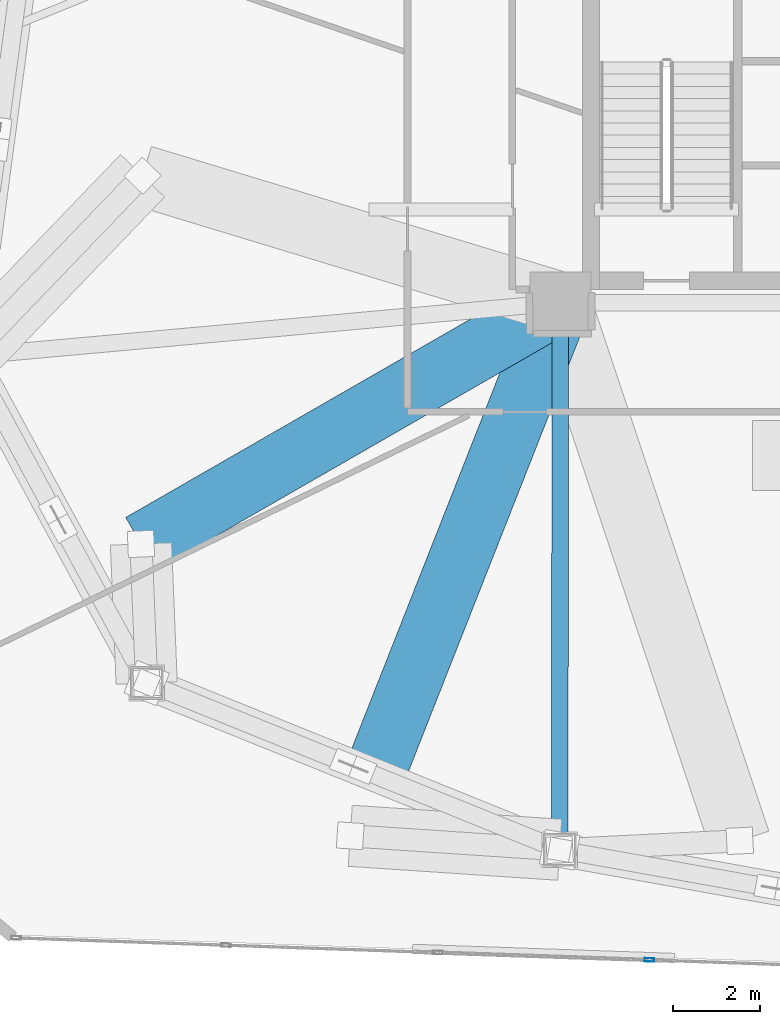
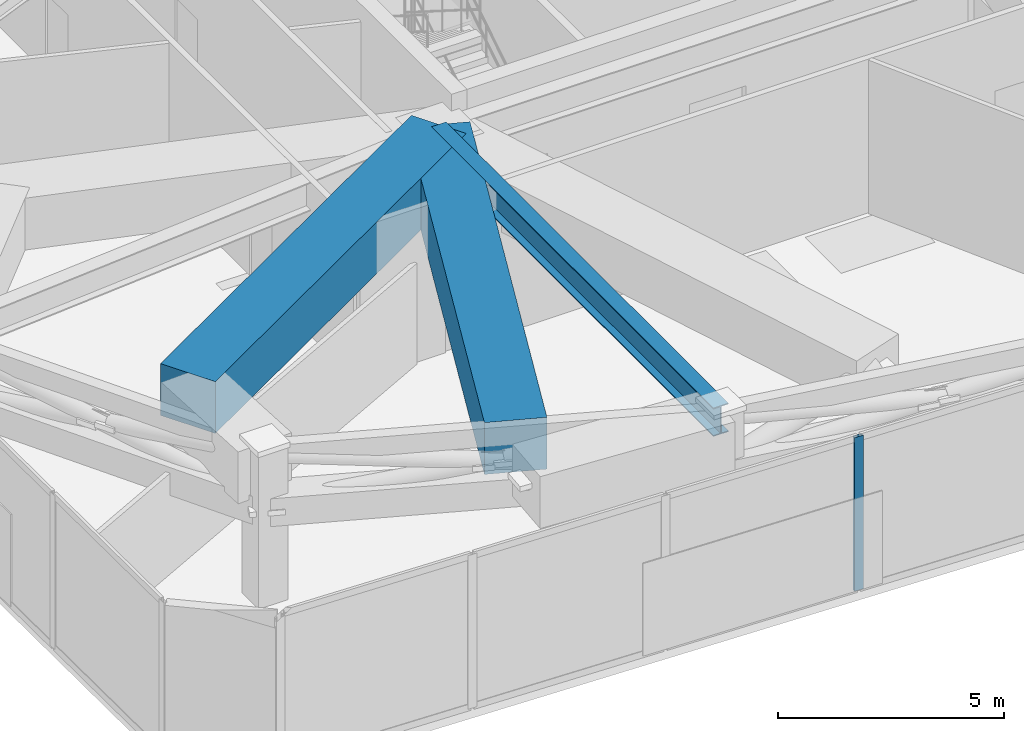
# One storey, part 4 of 25: 3 beams, 1 member, 1 element without a shape of its own.
"""IFC4 building model written with IfcOpenShell, lengths in metres."""

import ifcopenshell
import ifcopenshell.guid

model = None  # the IFC model being written
_history = None  # IfcOwnerHistory: only IFC2X3 demands one
_inside = {}  # id of a spatial element -> (the spatial element, [elements in it])
_under = {}  # id of a project, library or spatial element -> (it, [spatial elements below it])
_declared = {}  # id of a project -> (the project, [libraries it declares])
_typed = {}  # id of a type object -> (the type object, [elements of that type])
_made_of = {}  # id of a material, layer set ... -> (it, [elements and type objects made of it])


def new_model(schema):
    """Start an empty IFC model of exactly this schema.

    Asked for "IFC4X3", IfcOpenShell would pick the latest addendum, in which some entities
    have other attributes; the version numbers below select the first issue.
    IFC2X3 requires an IfcOwnerHistory on every rooted entity: one is made here for all.
    """
    global model, _history
    if schema == "IFC4X3":
        model = ifcopenshell.file(schema_version=(4, 3, 0, 0))
    else:
        model = ifcopenshell.file(schema=schema)
    _inside.clear()
    _under.clear()
    _declared.clear()
    _typed.clear()
    _made_of.clear()
    _history = None
    if model.schema == "IFC2X3":
        org = make("IfcOrganization", Name="unknown")
        user = make(
            "IfcPersonAndOrganization",
            ThePerson=make("IfcPerson", FamilyName="unknown"),
            TheOrganization=org,
        )
        app = make(
            "IfcApplication",
            ApplicationDeveloper=org,
            Version="unknown",
            ApplicationFullName="unknown",
            ApplicationIdentifier="unknown",
        )
        _history = make(
            "IfcOwnerHistory",
            OwningUser=user,
            OwningApplication=app,
            ChangeAction="ADDED",
            CreationDate=0,
        )
    return model


def make(cls, **values):
    """One entity of the class cls with the attributes given. An attribute that is None is left unset."""
    return model.create_entity(
        cls, **{name: value for name, value in values.items() if value is not None}
    )


def rooted(cls, **values):
    """An entity with a GlobalId (a new one), such as an element, a storey or a relation."""
    return make(cls, GlobalId=ifcopenshell.guid.new(), OwnerHistory=_history, **values)


def si_unit(unit_type, name, prefix=None):
    """IfcSIUnit, for example si_unit("LENGTHUNIT", "METRE", prefix="MILLI")."""
    return make("IfcSIUnit", UnitType=unit_type, Prefix=prefix, Name=name)


def assignment(units):
    """IfcUnitAssignment: the units of a project."""
    return None if units is None else make("IfcUnitAssignment", Units=units)


def point(xyz):
    """IfcCartesianPoint."""
    return None if xyz is None else make("IfcCartesianPoint", Coordinates=xyz)


def direction(xyz):
    """IfcDirection."""
    return None if xyz is None else make("IfcDirection", DirectionRatios=xyz)


def frame(location, z_axis=None, x_axis=None):
    """IfcAxis2Placement3D, a coordinate frame: its origin and axes. An axis left out is left unset."""
    return make(
        "IfcAxis2Placement3D",
        Location=point(location),
        Axis=direction(z_axis),
        RefDirection=direction(x_axis),
    )


def frame_2d(location, x_axis=None):
    """IfcAxis2Placement2D, a coordinate frame in the plane: its origin and x axis."""
    return make(
        "IfcAxis2Placement2D", Location=point(location), RefDirection=direction(x_axis)
    )


def origin():
    """The frame at (0, 0, 0) with its axes left unset."""
    return frame((0.0, 0.0, 0.0))


def origin_2d():
    """The frame at (0, 0) in the plane with its x axis left unset."""
    return frame_2d((0.0, 0.0))


def place(relative_to, where):
    """IfcLocalPlacement: puts the frame where relative to a parent placement (None: the world)."""
    return make(
        "IfcLocalPlacement", PlacementRelTo=relative_to, RelativePlacement=where
    )


def context(
    kind, dimensions, precision=None, world=None, true_north=None, identifier=None
):
    """IfcGeometricRepresentationContext, for example the 3D "Model" context."""
    return make(
        "IfcGeometricRepresentationContext",
        ContextIdentifier=identifier,
        ContextType=kind,
        CoordinateSpaceDimension=dimensions,
        Precision=precision,
        WorldCoordinateSystem=world,
        TrueNorth=true_north,
    )


def subcontext(parent, identifier, kind, view, scale=None):
    """IfcGeometricRepresentationSubContext, for example "Body" below "Model"."""
    return make(
        "IfcGeometricRepresentationSubContext",
        ContextIdentifier=identifier,
        ContextType=kind,
        ParentContext=parent,
        TargetScale=scale,
        TargetView=view,
    )


def project(units=None, contexts=None):
    """IfcProject with its units and contexts."""
    return rooted(
        "IfcProject",
        Name="project",
        RepresentationContexts=contexts,
        UnitsInContext=assignment(units),
    )


def spatial(cls, under=None, at=None, **own):
    """A site, building, storey or space (cls), placed at a placement, below another one or the project."""
    s = rooted(cls, ObjectPlacement=at, **own)
    if under is not None:
        _under.setdefault(under.id(), (under, []))[1].append(s)
    return s


def profile(cls, at=None, kind="AREA", **sizes):
    """A parametric profile (cls). Its sizes go by their IFC names, for example OverallWidth=200.0."""
    return make(cls, ProfileType=kind, Position=at, **sizes)


def rectangle(**sizes):
    """IfcRectangleProfileDef."""
    return profile("IfcRectangleProfileDef", **sizes)


def hollow_rectangle(**sizes):
    """IfcRectangleHollowProfileDef."""
    return profile("IfcRectangleHollowProfileDef", **sizes)


def i_section(**sizes):
    """IfcIShapeProfileDef."""
    return profile("IfcIShapeProfileDef", **sizes)


def extrude(swept, where, along, depth):
    """IfcExtrudedAreaSolid: the profile swept, set in the frame where, extruded along a direction by depth."""
    return make(
        "IfcExtrudedAreaSolid",
        SweptArea=swept,
        Position=where,
        ExtrudedDirection=direction(along),
        Depth=depth,
    )


def shape(context_of_items, identifier, shape_type, items):
    """IfcShapeRepresentation: the items that make up one representation, for example the "Body"."""
    return make(
        "IfcShapeRepresentation",
        ContextOfItems=context_of_items,
        RepresentationIdentifier=identifier,
        RepresentationType=shape_type,
        Items=items,
    )


def source(mapping_origin, context_of_items, identifier, shape_type, items):
    """IfcRepresentationMap: a shape defined once, which mapped items show again and again."""
    return make(
        "IfcRepresentationMap",
        MappingOrigin=mapping_origin,
        MappedRepresentation=shape(context_of_items, identifier, shape_type, items),
    )


def transform(
    local_origin,
    x_axis=None,
    y_axis=None,
    z_axis=None,
    scale=None,
    scale2=None,
    scale3=None,
    uniform=True,
):
    """IfcCartesianTransformationOperator3D, or its non-uniform kind. x_axis, y_axis, z_axis: its Axis1, 2, 3."""
    if uniform:
        return make(
            "IfcCartesianTransformationOperator3D",
            Axis1=direction(x_axis),
            Axis2=direction(y_axis),
            LocalOrigin=point(local_origin),
            Scale=scale,
            Axis3=direction(z_axis),
        )
    return make(
        "IfcCartesianTransformationOperator3DnonUniform",
        Axis1=direction(x_axis),
        Axis2=direction(y_axis),
        LocalOrigin=point(local_origin),
        Scale=scale,
        Axis3=direction(z_axis),
        Scale2=scale2,
        Scale3=scale3,
    )


def mapped(mapping_source, mapping_target):
    """IfcMappedItem: shows the shape of a source again, moved by a transform."""
    return make(
        "IfcMappedItem", MappingSource=mapping_source, MappingTarget=mapping_target
    )


def material(Name=None, Category=None):
    """IfcMaterial."""
    return make("IfcMaterial", Name=Name, Category=Category)


def layer(
    of_material, thickness, ventilated=None, Name=None, Category=None, Priority=None
):
    """IfcMaterialLayer: one layer of a wall or slab, of a material (None: an air gap)."""
    return make(
        "IfcMaterialLayer",
        Material=of_material,
        LayerThickness=thickness,
        IsVentilated=ventilated,
        Name=Name,
        Category=Category,
        Priority=Priority,
    )


def layer_set(layers, Name=None):
    """IfcMaterialLayerSet."""
    return make("IfcMaterialLayerSet", MaterialLayers=layers, LayerSetName=Name)


def material_profile(
    of_material, cross_section, Name=None, Category=None, Priority=None
):
    """IfcMaterialProfile: a cross section and its material."""
    return make(
        "IfcMaterialProfile",
        Name=Name,
        Material=of_material,
        Profile=cross_section,
        Priority=Priority,
        Category=Category,
    )


def profile_set(profiles, Name=None, composite=None):
    """IfcMaterialProfileSet."""
    return make(
        "IfcMaterialProfileSet",
        Name=Name,
        MaterialProfiles=profiles,
        CompositeProfile=composite,
    )


def made_of(thing, what):
    """Note that an element or type object is made of a material, layer set ...; save() writes the relation."""
    if what is not None:
        _made_of.setdefault(what.id(), (what, []))[1].append(thing)
    return thing


def type_object(cls, material=None, **own):
    """A type object (cls), such as IfcWallType, which elements share."""
    return made_of(rooted(cls, **own), material)


def type_shapes(of_type, sources):
    """Give a type object the sources (RepresentationMaps) that its elements show as mapped items."""
    of_type.RepresentationMaps = sources


def element(
    cls,
    number,
    at=None,
    inside=None,
    cuts=None,
    type_object=None,
    material=None,
    context=None,
    identifier="Body",
    shape_type=None,
    held_by="IfcProductDefinitionShape",
    body=None,
    shapes=None,
    **own,
):
    """One element of the class cls, such as IfcWall. Its Tag is "e" and its number.

    at: its placement. inside: the storey or other place that contains it. cuts: it is an
    opening in that element (IfcRelVoidsElement). A single representation is given by context,
    identifier, shape_type and body (its items); several are given by shapes. held_by: the class
    of the entity that holds the representations. save() writes the other relations.
    """
    e = rooted(cls, Tag="e%d" % number, ObjectPlacement=at, **own)
    if body is not None:
        shapes = [shape(context, identifier, shape_type, body)]
    if shapes is not None:
        e.Representation = make(held_by, Representations=shapes)
    if inside is not None:
        _inside.setdefault(inside.id(), (inside, []))[1].append(e)
    if cuts is not None:
        rooted(
            "IfcRelVoidsElement", RelatingBuildingElement=cuts, RelatedOpeningElement=e
        )
    if type_object is not None:
        _typed.setdefault(type_object.id(), (type_object, []))[1].append(e)
    return made_of(e, material)


def aggregate(whole, parts):
    """IfcRelAggregates: a whole, such as a stair, and the parts it consists of."""
    return rooted("IfcRelAggregates", RelatingObject=whole, RelatedObjects=parts)


def save(model, path):
    """Write the relations noted so far, then the file.

    IfcRelAggregates (storeys below a building ...), IfcRelContainedInSpatialStructure (elements
    in a storey), IfcRelDefinesByType, IfcRelAssociatesMaterial and IfcRelDeclares: one each for
    every whole, place, type object, material and project.
    """
    for whole, parts in _under.values():
        aggregate(whole, parts)
    for where, things in _inside.values():
        rooted(
            "IfcRelContainedInSpatialStructure",
            RelatedElements=things,
            RelatingStructure=where,
        )
    for kind, things in _typed.values():
        rooted("IfcRelDefinesByType", RelatedObjects=things, RelatingType=kind)
    for what, things in _made_of.values():
        rooted("IfcRelAssociatesMaterial", RelatedObjects=things, RelatingMaterial=what)
    for by, libraries in _declared.values():
        rooted("IfcRelDeclares", RelatingContext=by, RelatedDefinitions=libraries)
    model.write(path)


model = new_model("IFC4")

# Units and contexts
model_context = context("Model", 3, precision=1e-05, world=origin(), true_north=direction((0.0, 1.0)))
body_context = subcontext(model_context, "Body", "Model", "MODEL_VIEW")
ifc_project = project(units=[si_unit("LENGTHUNIT", "METRE"), si_unit("AREAUNIT", "SQUARE_METRE"), si_unit("VOLUMEUNIT", "CUBIC_METRE"), si_unit("PLANEANGLEUNIT", "RADIAN"), si_unit("MASSUNIT", "GRAM", prefix="KILO")], contexts=[model_context])

# Site, building, storey
site_placement = place(None, origin())
site = spatial("IfcSite", under=ifc_project, at=site_placement, CompositionType="ELEMENT")
building_placement = place(site_placement, origin())
building = spatial("IfcBuilding", under=site, at=building_placement, Name="Talar Marvaseh", CompositionType="ELEMENT")
storey_placement = place(building_placement, frame((0.0, 0.0, 84.800048828125)))
storey = spatial("IfcBuildingStorey", under=building, at=storey_placement, Name="L21", CompositionType="ELEMENT", Elevation=84.800048828125)

# Beams
ifc_material_1 = material(Name="Concrete C70/85", Category="concrete")
ifc_material_profile_1 = material_profile(ifc_material_1, rectangle(XDim=1.39990234375, YDim=1.39990234375, at=origin_2d()), Name="RC1400x1400")
ifc_profile_set_1 = profile_set([ifc_material_profile_1], Name="Concrete C70/85")
beam_type_1 = type_object("IfcBeamType", Name="Setback Deep Concrete Transfer Girder RC1400x1400", PredefinedType="BEAM", material=ifc_profile_set_1)
beam_1_placement = place(storey_placement, frame((14.469482421875, 14.76708984375, 3.449951171875), z_axis=(0.366701044063, 0.930338833051, 0.0), x_axis=(-0.930338833051, 0.366701044063, 0.0)))
element("IfcBeam", 1, at=beam_1_placement, inside=storey, type_object=beam_type_1, Name="L21 Setback Backspan Transfer Girder 7", PredefinedType="BEAM", context=body_context, shape_type="SweptSolid", body=[
    extrude(rectangle(XDim=1.39990234375, YDim=1.39990234375, at=origin_2d()), origin(), (0.0, 0.0, 1.0), 11.53662109375),
])
beam_2_placement = place(storey_placement, frame((9.10107421875, 19.97705078125, 3.449951171875), z_axis=(0.866765990926, 0.498715065919, 0.0), x_axis=(-0.498715065919, 0.866765990926, 0.0)))
element("IfcBeam", 2, at=beam_2_placement, inside=storey, type_object=beam_type_1, Name="L21 Setback Backspan Transfer Girder 8", PredefinedType="BEAM", context=body_context, shape_type="SweptSolid", body=[
    extrude(rectangle(XDim=1.39990234375, YDim=1.39990234375, at=origin_2d()), origin(), (0.0, 0.0, 1.0), 11.074462890625),
])
ifc_material_2 = material(Name="Steel S355", Category="steel")
ifc_material_profile_2 = material_profile(ifc_material_2, i_section(OverallWidth=0.381103515625, OverallDepth=0.77294921875, WebThickness=0.0166015625, FlangeThickness=0.027099609375, at=origin_2d()), Name="W760x257")
ifc_profile_set_2 = profile_set([ifc_material_profile_2], Name="Steel S355")
beam_type_2 = type_object("IfcBeamType", Name="Zone 1 Radial Floor Girder W760x257", PredefinedType="BEAM", material=ifc_profile_set_2)
beam_3_placement = place(storey_placement, frame((18.68310546875, 12.97900390625, 3.763427734375), z_axis=(0.001345395187, 0.999999094955, 0.0), x_axis=(-0.999999094955, 0.001345395187, 0.0)))
element("IfcBeam", 3, at=beam_3_placement, inside=storey, type_object=beam_type_2, Name="L21 Zone 1 Radial Floor Girder W760x257", PredefinedType="BEAM", context=body_context, shape_type="SweptSolid", body=[
    extrude(i_section(OverallWidth=0.381103515625, OverallDepth=0.77294921875, WebThickness=0.0166015625, FlangeThickness=0.027099609375, at=origin_2d()), origin(), (0.0, 0.0, 1.0), 12.52099609375),
])

# Curtain wall, member
ifc_material_3 = material(Name="Architectural Aluminium", Category="aluminium")
ifc_layer = layer(ifc_material_3, 0.219970703125)
ifc_layer_set = layer_set([ifc_layer], Name="Architectural Aluminium")
curtain_wall_type = type_object("IfcCurtainWallType", Name="Unitised Low-E Museum Curtain Wall Z1", PredefinedType="NOTDEFINED", material=ifc_layer_set)
curtain_wall_placement = place(storey_placement, origin())
curtain_wall = element("IfcCurtainWall", 4, at=curtain_wall_placement, inside=storey, type_object=curtain_wall_type, Name="L21 Unitised Low-E Museum Curtain Wall Z1", PredefinedType="NOTDEFINED")
ifc_material_profile_3 = material_profile(ifc_material_3, hollow_rectangle(XDim=0.080078125, YDim=0.219970703125, WallThickness=0.0048828125, at=origin_2d()), Name="RHS220x80x5")
ifc_profile_set_3 = profile_set([ifc_material_profile_3], Name="Architectural Aluminium")
member_type = type_object("IfcMemberType", Name="Unitised Curtain Wall Heavy Mullion RHS220x80x5", PredefinedType="MULLION", material=ifc_profile_set_3)
shared_shape = source(origin(), body_context, "Body", "SweptSolid", [
    extrude(hollow_rectangle(XDim=0.080078125, YDim=0.219970703125, WallThickness=0.0048828125, at=origin_2d()), origin(), (0.0, 0.0, 1.0), 4.14990234375),
])
type_shapes(member_type, [shared_shape])
member_placement = place(storey_placement, frame((20.73486328125, 10.458740234375, 0.0), z_axis=(0.0, 0.0, 1.0), x_axis=(-0.03474674558, -0.999396149518, 0.0)))
member = element("IfcMember", 5, at=member_placement, type_object=member_type, Name="CW-Z1 mullion 3", PredefinedType="MULLION", context=body_context, shape_type="MappedRepresentation", body=[
    mapped(shared_shape, transform((0.0, 0.0, 0.0), x_axis=(1.0, 0.0, 0.0), y_axis=(0.0, 1.0, 0.0), z_axis=(0.0, 0.0, 1.0), scale=1.0)),
])
aggregate(curtain_wall, [member])

save(model, "model.ifc")
